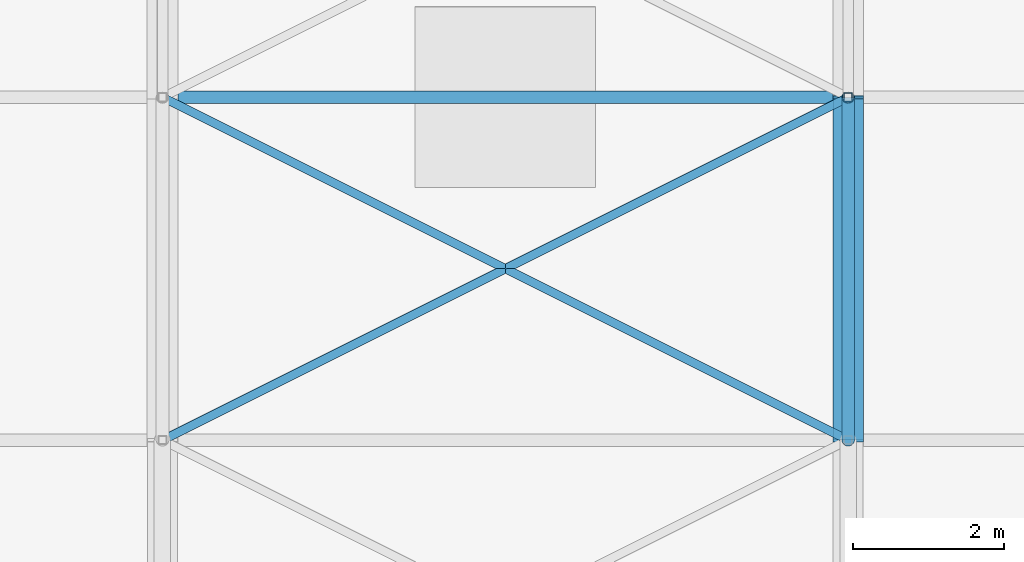
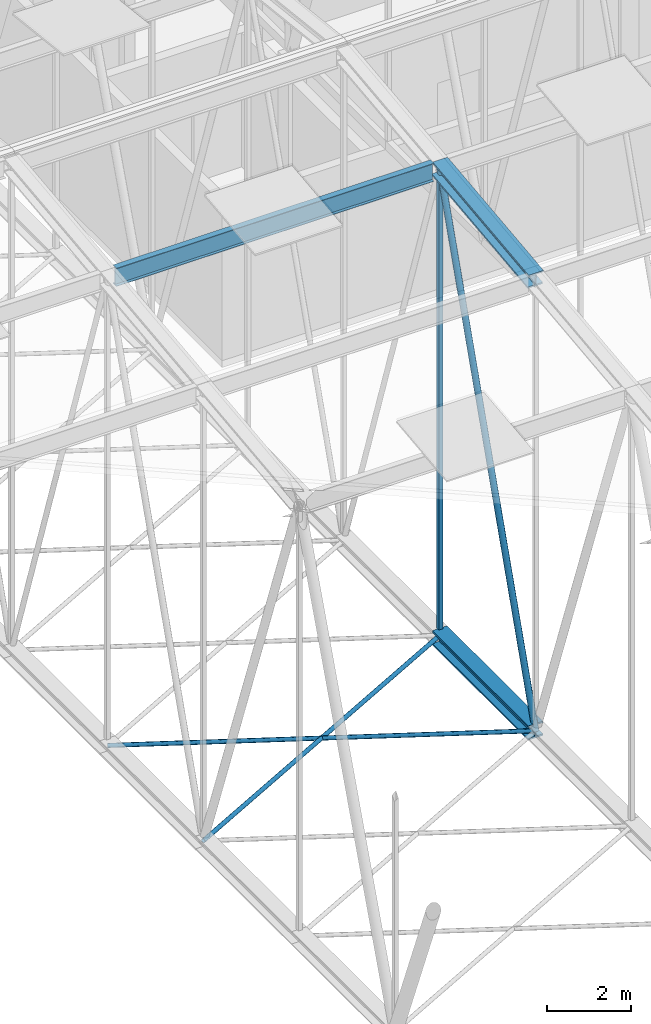
# One storey, part 159 of 500: 7 members.
"""IFC4 building model written with IfcOpenShell, lengths in metres."""

from ifc_helpers import new_model, si_unit, direction, frame, origin, origin_2d, place, context, subcontext, project, spatial, hollow_rectangle, hollow_circle, i_section, extrude, material, material_profile, profile_set, type_object, element, save


model = new_model("IFC4")

# Units and contexts
model_context = context("Model", 3, precision=1e-05, world=origin(), true_north=direction((0.0, 1.0)))
body_context = subcontext(model_context, "Body", "Model", "MODEL_VIEW")
ifc_project = project(units=[si_unit("LENGTHUNIT", "METRE"), si_unit("AREAUNIT", "SQUARE_METRE"), si_unit("VOLUMEUNIT", "CUBIC_METRE"), si_unit("PLANEANGLEUNIT", "RADIAN"), si_unit("MASSUNIT", "GRAM", prefix="KILO")], contexts=[model_context])

# Site, building, storey
site_placement = place(None, origin())
site = spatial("IfcSite", under=ifc_project, at=site_placement, CompositionType="ELEMENT")
building_placement = place(site_placement, origin())
building = spatial("IfcBuilding", under=site, at=building_placement, Name="Shirokan Park Arena", CompositionType="ELEMENT")
storey_placement = place(building_placement, frame((0.0, 0.0, 29.1201171875)))
storey = spatial("IfcBuildingStorey", under=building, at=storey_placement, Name="L06", CompositionType="ELEMENT", Elevation=29.1201171875)

# Members
ifc_material_1 = material(Name="Steel ASTM A992", Category="steel")
ifc_material_profile_1 = material_profile(ifc_material_1, i_section(OverallWidth=0.406005859375, OverallDepth=0.4169921875, WebThickness=0.030029296875, FlangeThickness=0.048095703125, at=origin_2d()), Name="W360X382")
ifc_profile_set_1 = profile_set([ifc_material_profile_1], Name="Steel ASTM A992")
member_type_1 = type_object("IfcMemberType", Name="Bottom chord W360X382", PredefinedType="CHORD", material=ifc_profile_set_1)
member_1_placement = place(storey_placement, frame((100.10009765625, 45.5, 4.677001953125), z_axis=(0.0, 1.0, 0.0), x_axis=(-1.0, 0.0, 0.0)))
element("IfcMember", 1, at=member_1_placement, inside=storey, type_object=member_type_1, Name="Truss T12 bottom chord 13", PredefinedType="CHORD", context=body_context, shape_type="SweptSolid", body=[
    extrude(i_section(OverallWidth=0.406005859375, OverallDepth=0.4169921875, WebThickness=0.030029296875, FlangeThickness=0.048095703125, at=origin_2d()), origin(), (0.0, 0.0, 1.0), 4.550048828125),
])
ifc_material_2 = material(Name="Steel ASTM A500 Grade C", Category="steel")
ifc_material_profile_2 = material_profile(ifc_material_2, hollow_circle(Radius=0.056884765625, WallThickness=0.006103515625, at=origin_2d()), Name="HSS114.3X6")
ifc_profile_set_2 = profile_set([ifc_material_profile_2], Name="Steel ASTM A500 Grade C")
member_type_2 = type_object("IfcMemberType", Name="Plan bracing HSS114.3X6", PredefinedType="BRACE", material=ifc_profile_set_2)
for number, where, z_axis, x_axis, name in (
    (2, (91.0, 45.5, 4.677001953125), (0.894427191, 0.4472135955, 0.0), (-0.4472135955, 0.894427191, 0.0), "Plan bracing bay 11 panel 13 A"),
    (3, (100.10009765625, 45.5, 4.677001953125), (-0.894427191, 0.4472135955, 0.0), (-0.4472135955, -0.894427191, 0.0), "Plan bracing bay 11 panel 13 B"),
):
    element("IfcMember", number, at=place(storey_placement, frame(where, z_axis=z_axis, x_axis=x_axis)), inside=storey, type_object=member_type_2, Name=name, PredefinedType="BRACE", context=body_context, shape_type="SweptSolid", body=[
        extrude(hollow_circle(Radius=0.056884765625, WallThickness=0.006103515625, at=origin_2d()), origin(), (0.0, 0.0, 1.0), 10.17431640625),
    ])
ifc_material_profile_3 = material_profile(ifc_material_1, i_section(OverallWidth=0.166015625, OverallDepth=0.528076171875, WebThickness=0.009765625, FlangeThickness=0.013671875, at=origin_2d()), Name="W530X74")
ifc_profile_set_3 = profile_set([ifc_material_profile_3], Name="Steel ASTM A992")
member_type_3 = type_object("IfcMemberType", Name="Purlin W530X74", PredefinedType="PURLIN", material=ifc_profile_set_3)
member_2_placement = place(storey_placement, frame((91.202880859375, 50.050048828125, 18.205810546875), z_axis=(1.0, 0.0, 0.0), x_axis=(0.0, 1.0, 0.0)))
element("IfcMember", 4, at=member_2_placement, inside=storey, type_object=member_type_3, Name="Purlin 14 bay 11", PredefinedType="PURLIN", context=body_context, shape_type="SweptSolid", body=[
    extrude(i_section(OverallWidth=0.166015625, OverallDepth=0.528076171875, WebThickness=0.009765625, FlangeThickness=0.013671875, at=origin_2d()), origin(), (0.0, 0.0, 1.0), 8.694091796875),
])
ifc_material_profile_4 = material_profile(ifc_material_1, i_section(OverallWidth=0.406005859375, OverallDepth=0.4169921875, WebThickness=0.030029296875, FlangeThickness=0.048095703125, at=origin_2d()), Name="W360X382")
ifc_profile_set_4 = profile_set([ifc_material_profile_4], Name="Steel ASTM A992")
member_type_4 = type_object("IfcMemberType", Name="Top chord W360X382", PredefinedType="CHORD", material=ifc_profile_set_4)
member_3_placement = place(storey_placement, frame((100.10009765625, 45.5, 17.741455078125), z_axis=(0.0, 0.993532328996, 0.113549598152), x_axis=(-1.0, 0.0, 0.0)))
element("IfcMember", 5, at=member_3_placement, inside=storey, type_object=member_type_4, Name="Truss T12 top chord 13", PredefinedType="CHORD", context=body_context, shape_type="SweptSolid", body=[
    extrude(i_section(OverallWidth=0.406005859375, OverallDepth=0.4169921875, WebThickness=0.030029296875, FlangeThickness=0.048095703125, at=origin_2d()), origin(), (0.0, 0.0, 1.0), 4.57958984375),
])
ifc_material_profile_5 = material_profile(ifc_material_2, hollow_circle(Radius=0.083984375, WallThickness=0.009521484375, at=origin_2d()), Name="HSS168.3X9.5")
ifc_profile_set_5 = profile_set([ifc_material_profile_5], Name="Steel ASTM A500 Grade C")
member_type_5 = type_object("IfcMemberType", Name="Truss diagonal HSS168.3X9.5", PredefinedType="BRACE", material=ifc_profile_set_5)
member_4_placement = place(storey_placement, frame((100.10009765625, 45.5, 4.677001953125), z_axis=(0.0, 0.317602683872, 0.948223884532), x_axis=(-1.0, 0.0, 0.0)))
element("IfcMember", 6, at=member_4_placement, inside=storey, type_object=member_type_5, Name="Truss T12 diagonal 13", PredefinedType="BRACE", context=body_context, shape_type="SweptSolid", body=[
    extrude(hollow_circle(Radius=0.083984375, WallThickness=0.009521484375, at=origin_2d()), origin(), (0.0, 0.0, 1.0), 14.326171875),
])
ifc_material_profile_6 = material_profile(ifc_material_2, hollow_rectangle(XDim=0.114013671875, YDim=0.114013671875, WallThickness=0.00634765625, at=origin_2d()), Name="HSS114.3X114.3X6.4")
ifc_profile_set_6 = profile_set([ifc_material_profile_6], Name="Steel ASTM A500 Grade C")
member_type_6 = type_object("IfcMemberType", Name="Truss post HSS114.3X114.3X6.4", PredefinedType="POST", material=ifc_profile_set_6)
member_5_placement = place(storey_placement, frame((100.10009765625, 50.050048828125, 4.677001953125), z_axis=(0.0, 0.0, 1.0), x_axis=(1.0, 0.0, 0.0)))
element("IfcMember", 7, at=member_5_placement, inside=storey, type_object=member_type_6, Name="Truss T12 post 14", PredefinedType="POST", context=body_context, shape_type="SweptSolid", body=[
    extrude(hollow_rectangle(XDim=0.114013671875, YDim=0.114013671875, WallThickness=0.00634765625, at=origin_2d()), origin(), (0.0, 0.0, 1.0), 13.58447265625),
])

save(model, "model.ifc")
